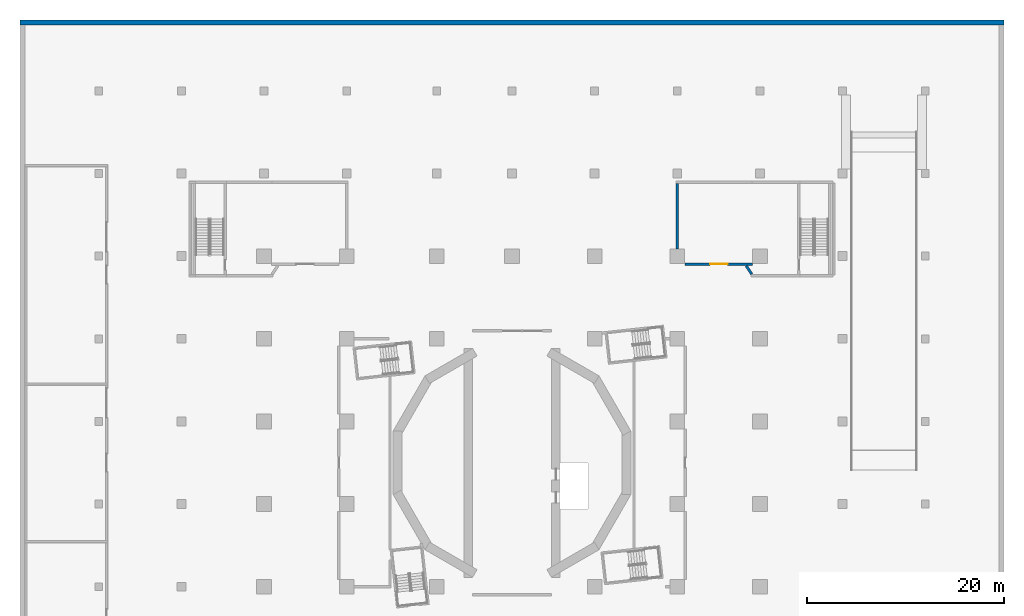
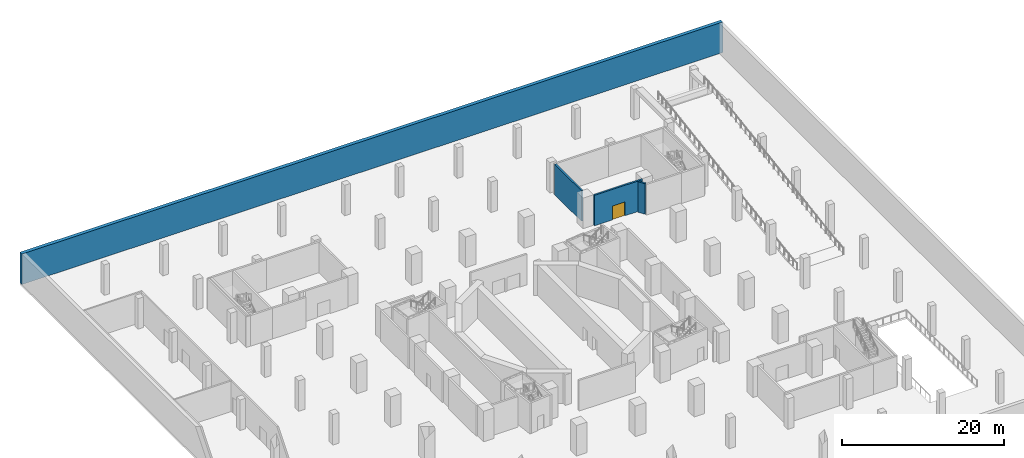
# One storey, part 9 of 20: 4 walls, 1 door, 1 opening.
"""IFC4 building model written with IfcOpenShell, lengths in metres."""

from ifc_helpers import new_model, si_unit, direction, frame, frame_2d, origin, place, context, subcontext, project, spatial, rectangle, extrude, material, layer, layer_set, type_object, element, fill, save


model = new_model("IFC4")

# Units and contexts
model_context = context("Model", 3, precision=1e-05, world=origin(), true_north=direction((0.0, 1.0)))
body_context = subcontext(model_context, "Body", "Model", "MODEL_VIEW")
ifc_project = project(units=[si_unit("LENGTHUNIT", "METRE"), si_unit("AREAUNIT", "SQUARE_METRE"), si_unit("VOLUMEUNIT", "CUBIC_METRE"), si_unit("PLANEANGLEUNIT", "RADIAN"), si_unit("MASSUNIT", "GRAM", prefix="KILO")], contexts=[model_context])

# Site, building, storey
site_placement = place(None, origin())
site = spatial("IfcSite", under=ifc_project, at=site_placement, CompositionType="ELEMENT")
building_placement = place(site_placement, origin())
building = spatial("IfcBuilding", under=site, at=building_placement, Name="Cantera Rosa Tower", CompositionType="ELEMENT")
storey_placement = place(building_placement, frame((0.0, 0.0, -5.0)))
storey = spatial("IfcBuildingStorey", under=building, at=storey_placement, Name="B1", CompositionType="ELEMENT", Elevation=-5.0)

# Walls
ifc_material_1 = material(Name="Masonry blockwork", Category="masonry")
ifc_layer_1 = layer(ifc_material_1, 0.25)
ifc_layer_set_1 = layer_set([ifc_layer_1], Name="Fire-rated external wall 250")
wall_type_1 = type_object("IfcWallType", Name="Fire-rated external wall 250", PredefinedType="PARTITIONING", material=ifc_layer_set_1)
wall_1_placement = place(storey_placement, frame((16.800048828125, 21.75, 0.0), z_axis=(0.0, 0.0, 1.0), x_axis=(0.0, 1.0, 0.0)))
element("IfcWall", 1, at=wall_1_placement, inside=storey, type_object=wall_type_1, Name="Fire wall B1-35", PredefinedType="PARTITIONING", context=body_context, shape_type="SweptSolid", body=[
    extrude(rectangle(XDim=6.625, YDim=0.25, at=frame_2d((3.3125, 0.0))), origin(), (0.0, 0.0, 1.0), 4.60009765625),
])
ifc_material_2 = material(Name="Masonry blockwork", Category="masonry")
ifc_layer_2 = layer(ifc_material_2, 0.25)
ifc_layer_set_2 = layer_set([ifc_layer_2], Name="Fire-rated wall 250")
wall_type_2 = type_object("IfcWallType", Name="Fire-rated wall 250", PredefinedType="PARTITIONING", material=ifc_layer_set_2)
wall_2_placement = place(storey_placement, frame((24.366455078125, 19.1748046875, 0.0), z_axis=(0.0, 0.0, 1.0), x_axis=(-0.559172704165, 0.829051196801, 0.0)))
element("IfcWall", 2, at=wall_2_placement, inside=storey, type_object=wall_type_2, Name="Fire wall B1-37", PredefinedType="PARTITIONING", context=body_context, shape_type="SweptSolid", body=[
    extrude(rectangle(XDim=1.005859375, YDim=0.25, at=frame_2d((0.5029296875, 0.0))), origin(), (0.0, 0.0, 1.0), 4.60009765625),
])

# Wall, opening, door
wall_3_placement = place(storey_placement, frame((17.60009765625, 20.199951171875, 0.0), z_axis=(0.0, 0.0, 1.0), x_axis=(1.0, 0.0, 0.0)))
wall_3 = element("IfcWall", 3, at=wall_3_placement, inside=storey, type_object=wall_type_2, Name="Fire wall B1-39", PredefinedType="PARTITIONING", context=body_context, shape_type="SweptSolid", body=[
    extrude(rectangle(XDim=6.849853515625, YDim=0.25, at=frame_2d((3.4248046875, 0.0))), origin(), (0.0, 0.0, 1.0), 4.60009765625),
])
opening_placement = place(wall_3_placement, frame((2.52490234375, 0.0, 0.0)))
opening = element("IfcOpeningElement", 4, at=opening_placement, cuts=wall_3, Name="Opening B1-001", PredefinedType="OPENING", context=body_context, shape_type="SweptSolid", body=[
    extrude(rectangle(XDim=1.800048828125, YDim=2.10009765625, at=frame_2d((0.89990234375, 1.050048828125))), frame((0.0, 0.135009765625, 0.0), z_axis=(0.0, -1.0, 0.0), x_axis=(1.0, 0.0, 0.0)), (0.0, 0.0, 1.0), 0.27001953125),
])
ifc_material_3 = material(Name="Steel S355J2 (EN 10025-2)", Category="steel")
door_type = type_object("IfcDoorType", Name="Fire double door 1800x2100", OperationType="NOTDEFINED", PredefinedType="DOOR", material=ifc_material_3)
door_placement = place(opening_placement, origin())
door = element("IfcDoor", 5, at=door_placement, inside=storey, type_object=door_type, Name="Door B1-001", OperationType="DOUBLE_DOOR_SINGLE_SWING", OverallHeight=2.10009765625, OverallWidth=1.800048828125, PredefinedType="DOOR", context=body_context, shape_type="SweptSolid", body=[
    extrude(rectangle(XDim=1.800048828125, YDim=2.10009765625, at=frame_2d((0.89990234375, 1.050048828125))), frame((0.0, 0.02490234375, 0.0), z_axis=(0.0, -1.0, 0.0), x_axis=(1.0, 0.0, 0.0)), (0.0, 0.0, 1.0), 0.050048828125),
])
fill(opening, door)

# Wall
ifc_material_4 = material(Name="Concrete C40/50", Category="concrete")
ifc_layer_3 = layer(ifc_material_4, 0.5)
ifc_layer_set_3 = layer_set([ifc_layer_3], Name="Retaining wall 500")
wall_type_3 = type_object("IfcWallType", Name="Retaining wall 500", PredefinedType="SOLIDWALL", material=ifc_layer_set_3)
wall_4_placement = place(storey_placement, frame((-50.0, 44.75, 0.0), z_axis=(0.0, 0.0, 1.0), x_axis=(1.0, 0.0, 0.0)))
element("IfcWall", 6, at=wall_4_placement, inside=storey, type_object=wall_type_3, Name="Retaining wall N B1", PredefinedType="SOLIDWALL", context=body_context, shape_type="SweptSolid", body=[
    extrude(rectangle(XDim=100.0, YDim=0.5, at=frame_2d((50.0, 0.0))), origin(), (0.0, 0.0, 1.0), 4.60009765625),
])

save(model, "model.ifc")
